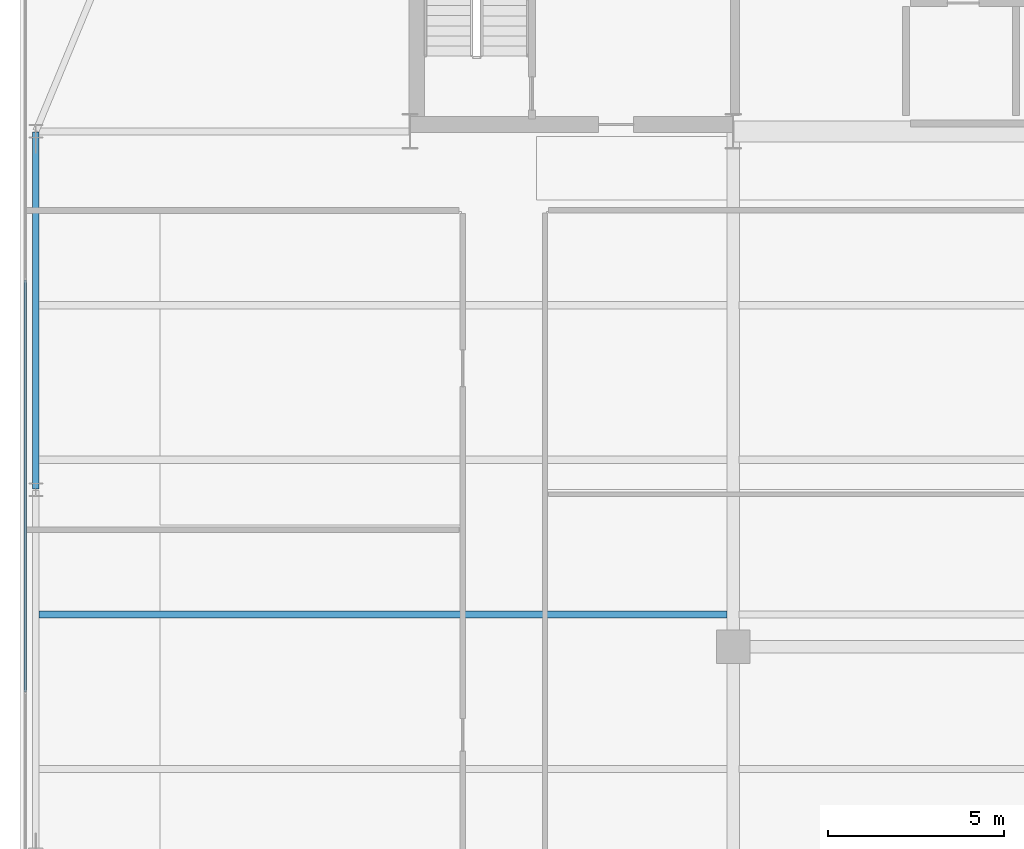
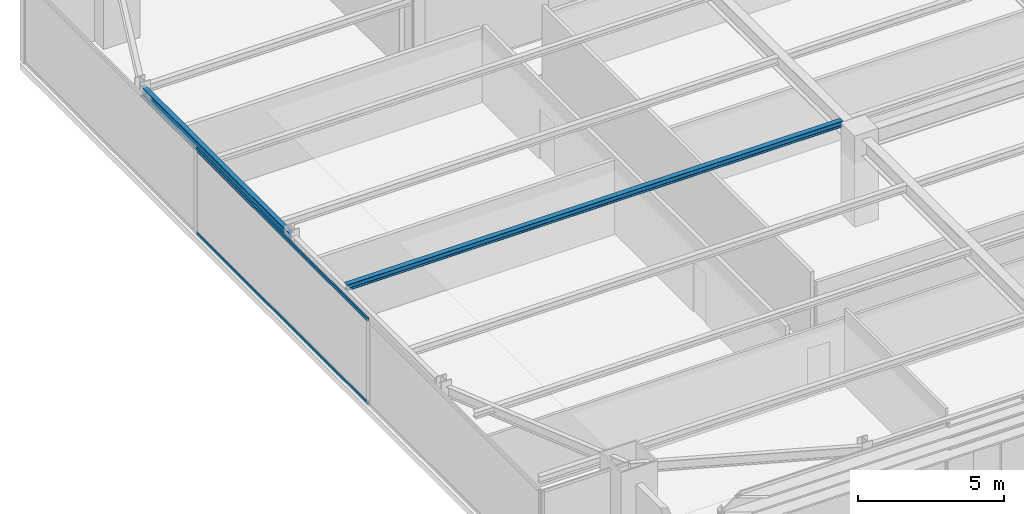
# One storey, part 9 of 36: 2 beams, 2 members, 1 element without a shape of its own.
"""IFC4 building model written with IfcOpenShell, lengths in metres."""

from ifc_helpers import new_model, si_unit, direction, frame, origin, origin_2d, place, context, subcontext, project, spatial, hollow_rectangle, i_section, extrude, source, transform, mapped, material, layer, layer_set, material_profile, profile_set, type_object, type_shapes, element, aggregate, save


model = new_model("IFC4")

# Units and contexts
model_context = context("Model", 3, precision=1e-05, world=origin(), true_north=direction((0.0, 1.0)))
body_context = subcontext(model_context, "Body", "Model", "MODEL_VIEW")
ifc_project = project(units=[si_unit("LENGTHUNIT", "METRE"), si_unit("AREAUNIT", "SQUARE_METRE"), si_unit("VOLUMEUNIT", "CUBIC_METRE"), si_unit("PLANEANGLEUNIT", "RADIAN"), si_unit("MASSUNIT", "GRAM", prefix="KILO")], contexts=[model_context])

# Site, building, storey
site_placement = place(None, origin())
site = spatial("IfcSite", under=ifc_project, at=site_placement, CompositionType="ELEMENT")
building_placement = place(site_placement, origin())
building = spatial("IfcBuilding", under=site, at=building_placement, Name="Varnel Quay Broadcast Tower", CompositionType="ELEMENT")
storey_placement = place(building_placement, frame((0.0, 0.0, 114.39990234375)))
storey = spatial("IfcBuildingStorey", under=building, at=storey_placement, Name="L27", CompositionType="ELEMENT", Elevation=114.39990234375)

# Beams
ifc_material_1 = material(Name="Structural Steel CSA G40.21 350W", Category="steel")
ifc_material_profile_1 = material_profile(ifc_material_1, i_section(OverallWidth=0.180908203125, OverallDepth=0.4169921875, WebThickness=0.010986328125, FlangeThickness=0.018310546875, FilletRadius=0.011962890625, at=origin_2d()), Name="W410X85")
ifc_profile_set_1 = profile_set([ifc_material_profile_1], Name="Structural Steel CSA G40.21 350W")
beam_type_1 = type_object("IfcBeamType", Name="Beam_W410X85", PredefinedType="SPANDREL", material=ifc_profile_set_1)
shared_shape_1 = source(origin(), body_context, "Body", "SweptSolid", [
    extrude(i_section(OverallWidth=0.180908203125, OverallDepth=0.4169921875, WebThickness=0.010986328125, FlangeThickness=0.018310546875, FilletRadius=0.011962890625, at=origin_2d()), origin(), (0.0, 0.0, 1.0), 10.16015625),
])
type_shapes(beam_type_1, [shared_shape_1])
beam_1_placement = place(storey_placement, frame((4.949951171875, 25.419921875, 3.341552734375), z_axis=(0.0, 1.0, 0.0), x_axis=(-1.0, 0.0, 0.0)))
element("IfcBeam", 1, at=beam_1_placement, inside=storey, type_object=beam_type_1, Name="L27 West Spandrel TC-W2-TC-W3", PredefinedType="SPANDREL", context=body_context, shape_type="MappedRepresentation", body=[
    mapped(shared_shape_1, transform((0.0, 0.0, 0.0), x_axis=(1.0, 0.0, 0.0), y_axis=(0.0, 1.0, 0.0), z_axis=(0.0, 0.0, 1.0), scale=1.0)),
])
ifc_material_profile_2 = material_profile(ifc_material_1, i_section(OverallWidth=0.201904296875, OverallDepth=0.2470703125, WebThickness=0.00732421875, FlangeThickness=0.010986328125, FilletRadius=0.010986328125, at=origin_2d()), Name="W250X49")
ifc_profile_set_2 = profile_set([ifc_material_profile_2], Name="Structural Steel CSA G40.21 350W")
beam_type_2 = type_object("IfcBeamType", Name="Beam_W250X49", PredefinedType="JOIST", material=ifc_profile_set_2)
shared_shape_2 = source(origin(), body_context, "Body", "SweptSolid", [
    extrude(i_section(OverallWidth=0.201904296875, OverallDepth=0.2470703125, WebThickness=0.00732421875, FlangeThickness=0.010986328125, FilletRadius=0.010986328125, at=origin_2d()), origin(), (0.0, 0.0, 1.0), 19.592041015625),
])
type_shapes(beam_type_2, [shared_shape_2])
beam_2_placement = place(storey_placement, frame((5.035400390625, 21.85009765625, 3.426513671875), z_axis=(1.0, 0.0, 0.0), x_axis=(0.0, 1.0, 0.0)))
element("IfcBeam", 2, at=beam_2_placement, inside=storey, type_object=beam_type_2, Name="L27 West Floor Joist 4", PredefinedType="JOIST", context=body_context, shape_type="MappedRepresentation", body=[
    mapped(shared_shape_2, transform((0.0, 0.0, 0.0), x_axis=(1.0, 0.0, 0.0), y_axis=(0.0, 1.0, 0.0), z_axis=(0.0, 0.0, 1.0), scale=1.0)),
])

# Curtain wall, members
ifc_material_2 = material(Name="Anodised Bronze Aluminium 6063-T6", Category="aluminium")
ifc_layer = layer(ifc_material_2, 0.18994140625, Name="Anodised Bronze Aluminium 6063-T6")
ifc_layer_set = layer_set([ifc_layer], Name="Anodised Bronze Aluminium 6063-T6")
curtain_wall_type = type_object("IfcCurtainWallType", Name="CW_LowerTower", PredefinedType="NOTDEFINED", material=ifc_layer_set)
curtain_wall_placement = place(storey_placement, origin())
curtain_wall = element("IfcCurtainWall", 3, at=curtain_wall_placement, inside=storey, type_object=curtain_wall_type, Name="L27 West Unitised Curtain Wall", PredefinedType="NOTDEFINED")
ifc_material_profile_3 = material_profile(ifc_material_2, hollow_rectangle(XDim=0.06005859375, YDim=0.14501953125, WallThickness=0.00341796875, at=origin_2d()), Name="ALU60X145X3.5")
ifc_profile_set_3 = profile_set([ifc_material_profile_3], Name="Anodised Bronze Aluminium 6063-T6")
member_type = type_object("IfcMemberType", Name="Tran_CWS-02", PredefinedType="USERDEFINED", material=ifc_profile_set_3)
shared_shape_3 = source(origin(), body_context, "Body", "SweptSolid", [
    extrude(hollow_rectangle(XDim=0.06005859375, YDim=0.14501953125, WallThickness=0.00341796875, at=origin_2d()), origin(), (0.0, 0.0, 1.0), 11.72998046875),
])
type_shapes(member_type, [shared_shape_3])
member_1_placement = place(storey_placement, frame((4.64990234375, 19.635009765625, 0.030029296875), z_axis=(0.0, 1.0, 0.0), x_axis=(-1.0, 0.0, 0.0)))
member_1 = element("IfcMember", 4, at=member_1_placement, type_object=member_type, Name="CWS-02 transom 2.1", ObjectType="TRANSOM", PredefinedType="USERDEFINED", context=body_context, shape_type="MappedRepresentation", body=[
    mapped(shared_shape_3, transform((0.0, 0.0, 0.0), x_axis=(1.0, 0.0, 0.0), y_axis=(0.0, 1.0, 0.0), z_axis=(0.0, 0.0, 1.0), scale=1.0)),
])
member_2_placement = place(storey_placement, frame((4.64990234375, 19.635009765625, 3.52001953125), z_axis=(0.0, 1.0, 0.0), x_axis=(-1.0, 0.0, 0.0)))
member_2 = element("IfcMember", 5, at=member_2_placement, type_object=member_type, Name="CWS-02 transom 2.2", ObjectType="TRANSOM", PredefinedType="USERDEFINED", context=body_context, shape_type="MappedRepresentation", body=[
    mapped(shared_shape_3, transform((0.0, 0.0, 0.0), x_axis=(1.0, 0.0, 0.0), y_axis=(0.0, 1.0, 0.0), z_axis=(0.0, 0.0, 1.0), scale=1.0)),
])
aggregate(curtain_wall, [member_1, member_2])

save(model, "model.ifc")
